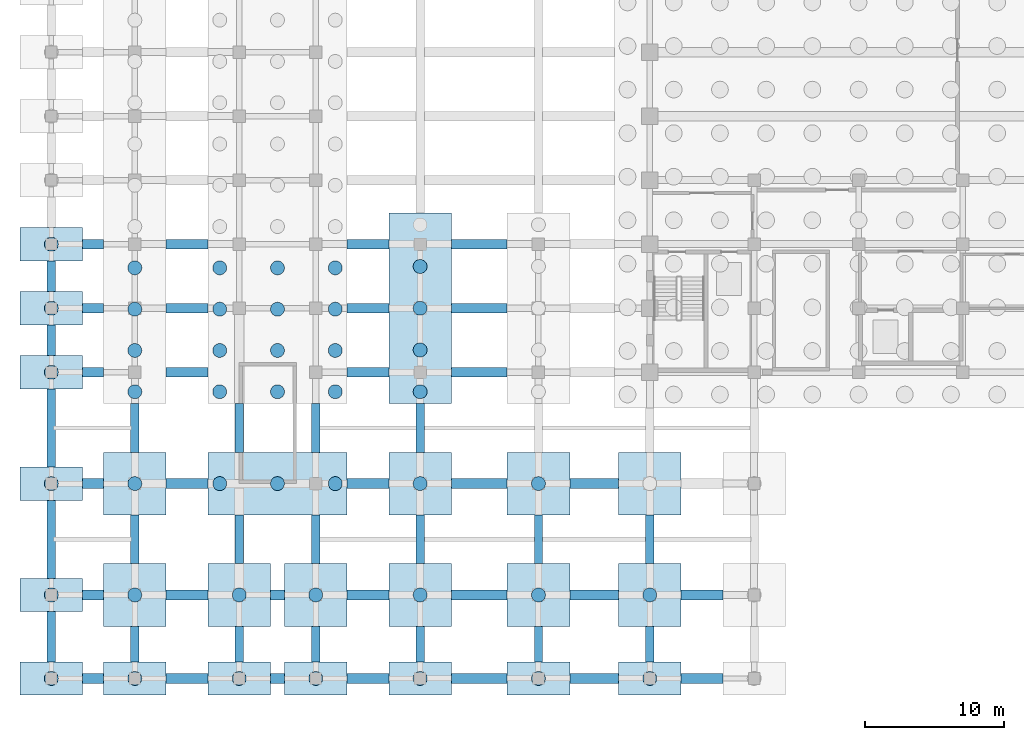
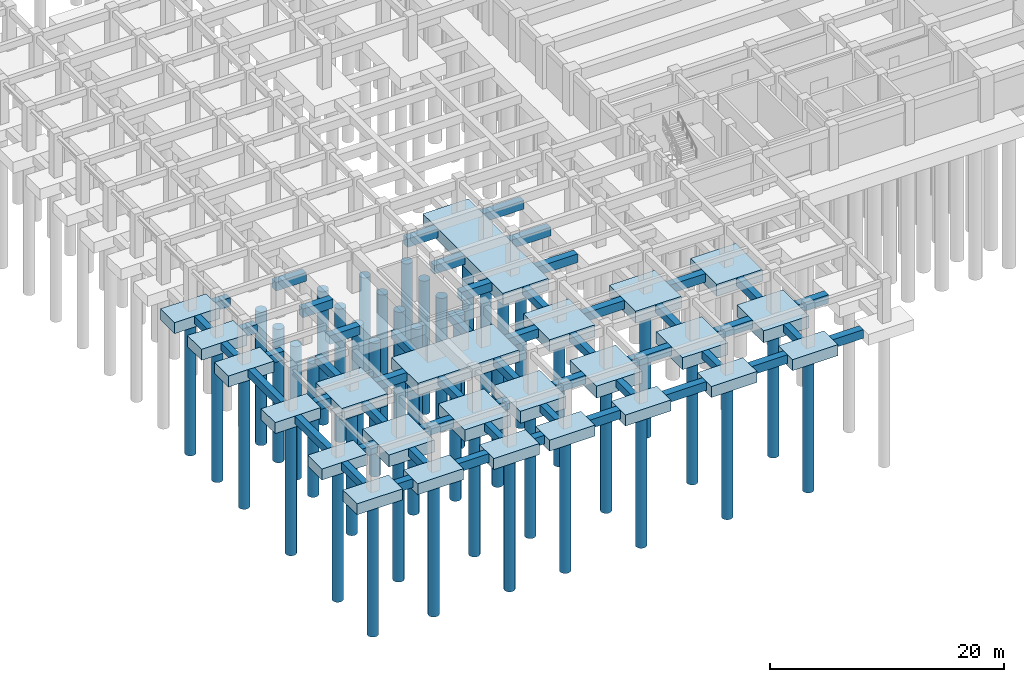
# One storey, part 1 of 32: 76 footings, 44 piles.
"""IFC4 building model written with IfcOpenShell, lengths in metres."""

from ifc_helpers import new_model, si_unit, direction, frame, origin, origin_2d, place, context, subcontext, project, spatial, rectangle, circle, extrude, material, material_profile, profile_set, type_object, element, save


model = new_model("IFC4")

# Units and contexts
model_context = context("Model", 3, precision=1e-05, world=origin(), true_north=direction((0.0, 1.0)))
body_context = subcontext(model_context, "Body", "Model", "MODEL_VIEW")
ifc_project = project(units=[si_unit("LENGTHUNIT", "METRE"), si_unit("AREAUNIT", "SQUARE_METRE"), si_unit("VOLUMEUNIT", "CUBIC_METRE"), si_unit("PLANEANGLEUNIT", "RADIAN"), si_unit("MASSUNIT", "GRAM", prefix="KILO")], contexts=[model_context])

# Site, building, storey
site_placement = place(None, origin())
site = spatial("IfcSite", under=ifc_project, at=site_placement, CompositionType="ELEMENT")
building_placement = place(site_placement, origin())
building = spatial("IfcBuilding", under=site, at=building_placement, Name="Muzn Square Opera House", CompositionType="ELEMENT")
storey_placement = place(building_placement, frame((0.0, 0.0, -4.199951171875)))
storey = spatial("IfcBuildingStorey", under=building, at=storey_placement, Name="B1", CompositionType="ELEMENT", Elevation=-4.199951171875)

# Piles
ifc_material = material(Name="Concrete C40/50", Category="concrete")
ifc_material_profile_1 = material_profile(ifc_material, circle(Radius=0.5, at=origin_2d()), Name="BORED PILE D1000", Category="concrete")
ifc_profile_set_1 = profile_set([ifc_material_profile_1], Name="Concrete C40/50")
pile_type = type_object("IfcPileType", Name="Bored Pile D1000", PredefinedType="BORED", material=ifc_profile_set_1)
for number, where, z_axis, x_axis, name in (
    (1, (0.0, 0.0, -1.469970703125), (0.0, 0.0, -1.0), (1.0, 0.0, 0.0), "Bored Pile BP-B1-BP-D1000-0_0-1"),
    (2, (6.0, 0.0, -1.469970703125), (0.0, 0.0, -1.0), (1.0, 0.0, 0.0), "Bored Pile BP-B1-BP-D1000-60_0-2"),
    (3, (13.5, 0.0, -1.469970703125), (0.0, 0.0, -1.0), (1.0, 0.0, 0.0), "Bored Pile BP-B1-BP-D1000-135_0-3"),
    (4, (19.0, 0.0, -1.469970703125), (0.0, 0.0, -1.0), (1.0, 0.0, 0.0), "Bored Pile BP-B1-BP-D1000-190_0-4"),
    (5, (26.5, 0.0, -1.469970703125), (0.0, 0.0, -1.0), (1.0, 0.0, 0.0), "Bored Pile BP-B1-BP-D1000-265_0-5"),
    (6, (35.0, 0.0, -1.469970703125), (0.0, 0.0, -1.0), (1.0, 0.0, 0.0), "Bored Pile BP-B1-BP-D1000-350_0-6"),
    (7, (43.0, 0.0, -1.469970703125), (0.0, 0.0, -1.0), (1.0, 0.0, 0.0), "Bored Pile BP-B1-BP-D1000-430_0-7"),
):
    element("IfcPile", number, at=place(storey_placement, frame(where, z_axis=z_axis, x_axis=x_axis)), inside=storey, type_object=pile_type, Name=name, PredefinedType="BORED", context=body_context, shape_type="SweptSolid", body=[
        extrude(circle(Radius=0.5, at=origin_2d()), origin(), (0.0, 0.0, 1.0), 14.030029296875),
    ])
for number, where, z_axis, x_axis, name in (
    (8, (6.0, 6.0, -1.570068359375), (0.0, 0.0, -1.0), (1.0, 0.0, 0.0), "Bored Pile BP-B1-BP-D1000-60_60-17"),
    (9, (13.5, 6.0, -1.570068359375), (0.0, 0.0, -1.0), (1.0, 0.0, 0.0), "Bored Pile BP-B1-BP-D1000-135_60-18"),
    (10, (19.0, 6.0, -1.570068359375), (0.0, 0.0, -1.0), (1.0, 0.0, 0.0), "Bored Pile BP-B1-BP-D1000-190_60-19"),
    (11, (26.5, 6.0, -1.570068359375), (0.0, 0.0, -1.0), (1.0, 0.0, 0.0), "Bored Pile BP-B1-BP-D1000-265_60-20"),
    (12, (35.0, 6.0, -1.570068359375), (0.0, 0.0, -1.0), (1.0, 0.0, 0.0), "Bored Pile BP-B1-BP-D1000-350_60-21"),
    (13, (43.0, 6.0, -1.570068359375), (0.0, 0.0, -1.0), (1.0, 0.0, 0.0), "Bored Pile BP-B1-BP-D1000-430_60-22"),
):
    element("IfcPile", number, at=place(storey_placement, frame(where, z_axis=z_axis, x_axis=x_axis)), inside=storey, type_object=pile_type, Name=name, PredefinedType="BORED", context=body_context, shape_type="SweptSolid", body=[
        extrude(circle(Radius=0.5, at=origin_2d()), origin(), (0.0, 0.0, 1.0), 13.929931640625),
    ])
pile_1_placement = place(storey_placement, frame((0.0, 6.0, -1.469970703125), z_axis=(0.0, 0.0, -1.0), x_axis=(1.0, 0.0, 0.0)))
element("IfcPile", 14, at=pile_1_placement, inside=storey, type_object=pile_type, Name="Bored Pile BP-B1-BP-D1000-0_60-31", PredefinedType="BORED", context=body_context, shape_type="SweptSolid", body=[
    extrude(circle(Radius=0.5, at=origin_2d()), origin(), (0.0, 0.0, 1.0), 14.030029296875),
])
for number, where, z_axis, x_axis, name in (
    (15, (6.0, 14.0, -1.570068359375), (0.0, 0.0, -1.0), (1.0, 0.0, 0.0), "Bored Pile BP-B1-BP-D1000-60_140-33"),
    (16, (12.10009765625, 14.0, -1.570068359375), (0.0, 0.0, -1.0), (1.0, 0.0, 0.0), "Bored Pile BP-B1-BP-D1000-121_140-34"),
    (17, (16.25, 14.0, -1.570068359375), (0.0, 0.0, -1.0), (1.0, 0.0, 0.0), "Bored Pile BP-B1-BP-D1000-162_140-35"),
    (18, (20.39990234375, 14.0, -1.570068359375), (0.0, 0.0, -1.0), (1.0, 0.0, 0.0), "Bored Pile BP-B1-BP-D1000-204_140-36"),
    (19, (26.5, 14.0, -1.570068359375), (0.0, 0.0, -1.0), (1.0, 0.0, 0.0), "Bored Pile BP-B1-BP-D1000-265_140-37"),
    (20, (35.0, 14.0, -1.570068359375), (0.0, 0.0, -1.0), (1.0, 0.0, 0.0), "Bored Pile BP-B1-BP-D1000-350_140-38"),
):
    element("IfcPile", number, at=place(storey_placement, frame(where, z_axis=z_axis, x_axis=x_axis)), inside=storey, type_object=pile_type, Name=name, PredefinedType="BORED", context=body_context, shape_type="SweptSolid", body=[
        extrude(circle(Radius=0.5, at=origin_2d()), origin(), (0.0, 0.0, 1.0), 13.929931640625),
    ])
pile_2_placement = place(storey_placement, frame((0.0, 14.0, -1.469970703125), z_axis=(0.0, 0.0, -1.0), x_axis=(1.0, 0.0, 0.0)))
element("IfcPile", 21, at=pile_2_placement, inside=storey, type_object=pile_type, Name="Bored Pile BP-B1-BP-D1000-0_140-49", PredefinedType="BORED", context=body_context, shape_type="SweptSolid", body=[
    extrude(circle(Radius=0.5, at=origin_2d()), origin(), (0.0, 0.0, 1.0), 14.030029296875),
])
for number, where, z_axis, x_axis, name in (
    (22, (6.0, 20.60009765625, -1.570068359375), (0.0, 0.0, -1.0), (1.0, 0.0, 0.0), "Bored Pile BP-B1-BP-D1000-60_206-513"),
    (23, (6.0, 23.566650390625, -1.570068359375), (0.0, 0.0, -1.0), (1.0, 0.0, 0.0), "Bored Pile BP-B1-BP-D1000-60_236-514"),
    (24, (6.0, 26.533203125, -1.570068359375), (0.0, 0.0, -1.0), (1.0, 0.0, 0.0), "Bored Pile BP-B1-BP-D1000-60_265-515"),
    (25, (6.0, 29.5, -1.570068359375), (0.0, 0.0, -1.0), (1.0, 0.0, 0.0), "Bored Pile BP-B1-BP-D1000-60_295-516"),
    (26, (12.10009765625, 20.60009765625, -1.570068359375), (0.0, 0.0, -1.0), (1.0, 0.0, 0.0), "Bored Pile BP-B1-BP-D1000-121_206-532"),
    (27, (12.10009765625, 23.566650390625, -1.570068359375), (0.0, 0.0, -1.0), (1.0, 0.0, 0.0), "Bored Pile BP-B1-BP-D1000-121_236-533"),
    (28, (12.10009765625, 26.533203125, -1.570068359375), (0.0, 0.0, -1.0), (1.0, 0.0, 0.0), "Bored Pile BP-B1-BP-D1000-121_265-534"),
    (29, (12.10009765625, 29.5, -1.570068359375), (0.0, 0.0, -1.0), (1.0, 0.0, 0.0), "Bored Pile BP-B1-BP-D1000-121_295-535"),
    (30, (16.25, 20.60009765625, -1.570068359375), (0.0, 0.0, -1.0), (1.0, 0.0, 0.0), "Bored Pile BP-B1-BP-D1000-162_206-551"),
    (31, (16.25, 23.566650390625, -1.570068359375), (0.0, 0.0, -1.0), (1.0, 0.0, 0.0), "Bored Pile BP-B1-BP-D1000-162_236-552"),
    (32, (16.25, 26.533203125, -1.570068359375), (0.0, 0.0, -1.0), (1.0, 0.0, 0.0), "Bored Pile BP-B1-BP-D1000-162_265-553"),
    (33, (16.25, 29.5, -1.570068359375), (0.0, 0.0, -1.0), (1.0, 0.0, 0.0), "Bored Pile BP-B1-BP-D1000-162_295-554"),
    (34, (20.39990234375, 20.60009765625, -1.570068359375), (0.0, 0.0, -1.0), (1.0, 0.0, 0.0), "Bored Pile BP-B1-BP-D1000-204_206-570"),
    (35, (20.39990234375, 23.566650390625, -1.570068359375), (0.0, 0.0, -1.0), (1.0, 0.0, 0.0), "Bored Pile BP-B1-BP-D1000-204_236-571"),
    (36, (20.39990234375, 26.533203125, -1.570068359375), (0.0, 0.0, -1.0), (1.0, 0.0, 0.0), "Bored Pile BP-B1-BP-D1000-204_265-572"),
    (37, (20.39990234375, 29.5, -1.570068359375), (0.0, 0.0, -1.0), (1.0, 0.0, 0.0), "Bored Pile BP-B1-BP-D1000-204_295-573"),
    (38, (26.5, 20.60009765625, -1.570068359375), (0.0, 0.0, -1.0), (1.0, 0.0, 0.0), "Bored Pile BP-B1-BP-D1000-265_206-589"),
    (39, (26.5, 23.60009765625, -1.570068359375), (0.0, 0.0, -1.0), (1.0, 0.0, 0.0), "Bored Pile BP-B1-BP-D1000-265_236-590"),
    (40, (26.5, 26.60009765625, -1.570068359375), (0.0, 0.0, -1.0), (1.0, 0.0, 0.0), "Bored Pile BP-B1-BP-D1000-265_266-591"),
    (41, (26.5, 29.60009765625, -1.570068359375), (0.0, 0.0, -1.0), (1.0, 0.0, 0.0), "Bored Pile BP-B1-BP-D1000-265_296-592"),
):
    element("IfcPile", number, at=place(storey_placement, frame(where, z_axis=z_axis, x_axis=x_axis)), inside=storey, type_object=pile_type, Name=name, PredefinedType="BORED", context=body_context, shape_type="SweptSolid", body=[
        extrude(circle(Radius=0.5, at=origin_2d()), origin(), (0.0, 0.0, 1.0), 13.929931640625),
    ])
for number, where, z_axis, x_axis, name in (
    (42, (0.0, 22.0, -1.469970703125), (0.0, 0.0, -1.0), (1.0, 0.0, 0.0), "Bored Pile BP-B1-BP-D1000-0_220-688"),
    (43, (0.0, 26.60009765625, -1.469970703125), (0.0, 0.0, -1.0), (1.0, 0.0, 0.0), "Bored Pile BP-B1-BP-D1000-0_266-690"),
    (44, (0.0, 31.199951171875, -1.469970703125), (0.0, 0.0, -1.0), (1.0, 0.0, 0.0), "Bored Pile BP-B1-BP-D1000-0_312-692"),
):
    element("IfcPile", number, at=place(storey_placement, frame(where, z_axis=z_axis, x_axis=x_axis)), inside=storey, type_object=pile_type, Name=name, PredefinedType="BORED", context=body_context, shape_type="SweptSolid", body=[
        extrude(circle(Radius=0.5, at=origin_2d()), origin(), (0.0, 0.0, 1.0), 14.030029296875),
    ])

# Footings
ifc_material_profile_2 = material_profile(ifc_material, rectangle(XDim=0.60009765625, YDim=0.800048828125, at=origin_2d()), Name="RCTB 600x800", Category="concrete")
ifc_profile_set_2 = profile_set([ifc_material_profile_2], Name="Concrete C40/50")
footing_type_1 = type_object("IfcFootingType", Name="Foundation Tie Beam 600x800", PredefinedType="FOOTING_BEAM", material=ifc_profile_set_2)
footing_1_placement = place(storey_placement, frame((0.0, 1.199951171875, -0.820068359375), z_axis=(0.0, 1.0, 0.0), x_axis=(-1.0, 0.0, 0.0)))
element("IfcFooting", 45, at=footing_1_placement, inside=storey, type_object=footing_type_1, Name="Foundation Tie Beam FTB-Y221", PredefinedType="FOOTING_BEAM", context=body_context, shape_type="SweptSolid", body=[
    extrude(rectangle(XDim=0.60009765625, YDim=0.800048828125, at=origin_2d()), origin(), (0.0, 0.0, 1.0), 3.60009765625),
])
for number, where, z_axis, x_axis, name in (
    (46, (0.0, 7.199951171875, -0.820068359375), (0.0, 1.0, 0.0), (-1.0, 0.0, 0.0), "Foundation Tie Beam FTB-Y222"),
    (47, (0.0, 15.199951171875, -0.820068359375), (0.0, 1.0, 0.0), (-1.0, 0.0, 0.0), "Foundation Tie Beam FTB-Y223"),
):
    element("IfcFooting", number, at=place(storey_placement, frame(where, z_axis=z_axis, x_axis=x_axis)), inside=storey, type_object=footing_type_1, Name=name, PredefinedType="FOOTING_BEAM", context=body_context, shape_type="SweptSolid", body=[
        extrude(rectangle(XDim=0.60009765625, YDim=0.800048828125, at=origin_2d()), origin(), (0.0, 0.0, 1.0), 5.60009765625),
    ])
for number, where, z_axis, x_axis, name in (
    (48, (0.0, 23.199951171875, -0.820068359375), (0.0, 1.0, 0.0), (-1.0, 0.0, 0.0), "Foundation Tie Beam FTB-Y224"),
    (49, (0.0, 27.800048828125, -0.820068359375), (0.0, 1.0, 0.0), (-1.0, 0.0, 0.0), "Foundation Tie Beam FTB-Y225"),
):
    element("IfcFooting", number, at=place(storey_placement, frame(where, z_axis=z_axis, x_axis=x_axis)), inside=storey, type_object=footing_type_1, Name=name, PredefinedType="FOOTING_BEAM", context=body_context, shape_type="SweptSolid", body=[
        extrude(rectangle(XDim=0.60009765625, YDim=0.800048828125, at=origin_2d()), origin(), (0.0, 0.0, 1.0), 2.199951171875),
    ])
footing_2_placement = place(storey_placement, frame((6.0, 1.199951171875, -0.820068359375), z_axis=(0.0, 1.0, 0.0), x_axis=(-1.0, 0.0, 0.0)))
element("IfcFooting", 50, at=footing_2_placement, inside=storey, type_object=footing_type_1, Name="Foundation Tie Beam FTB-Y238", PredefinedType="FOOTING_BEAM", context=body_context, shape_type="SweptSolid", body=[
    extrude(rectangle(XDim=0.60009765625, YDim=0.800048828125, at=origin_2d()), origin(), (0.0, 0.0, 1.0), 2.550048828125),
])
for number, where, z_axis, x_axis, name in (
    (51, (6.0, 8.25, -0.820068359375), (0.0, 1.0, 0.0), (-1.0, 0.0, 0.0), "Foundation Tie Beam FTB-Y239"),
    (52, (6.0, 16.25, -0.820068359375), (0.0, 1.0, 0.0), (-1.0, 0.0, 0.0), "Foundation Tie Beam FTB-Y240"),
):
    element("IfcFooting", number, at=place(storey_placement, frame(where, z_axis=z_axis, x_axis=x_axis)), inside=storey, type_object=footing_type_1, Name=name, PredefinedType="FOOTING_BEAM", context=body_context, shape_type="SweptSolid", body=[
        extrude(rectangle(XDim=0.60009765625, YDim=0.800048828125, at=origin_2d()), origin(), (0.0, 0.0, 1.0), 3.5),
    ])
footing_3_placement = place(storey_placement, frame((13.5, 1.199951171875, -0.820068359375), z_axis=(0.0, 1.0, 0.0), x_axis=(-1.0, 0.0, 0.0)))
element("IfcFooting", 53, at=footing_3_placement, inside=storey, type_object=footing_type_1, Name="Foundation Tie Beam FTB-Y244", PredefinedType="FOOTING_BEAM", context=body_context, shape_type="SweptSolid", body=[
    extrude(rectangle(XDim=0.60009765625, YDim=0.800048828125, at=origin_2d()), origin(), (0.0, 0.0, 1.0), 2.550048828125),
])
for number, where, z_axis, x_axis, name in (
    (54, (13.5, 8.25, -0.820068359375), (0.0, 1.0, 0.0), (-1.0, 0.0, 0.0), "Foundation Tie Beam FTB-Y245"),
    (55, (13.5, 16.25, -0.820068359375), (0.0, 1.0, 0.0), (-1.0, 0.0, 0.0), "Foundation Tie Beam FTB-Y246"),
):
    element("IfcFooting", number, at=place(storey_placement, frame(where, z_axis=z_axis, x_axis=x_axis)), inside=storey, type_object=footing_type_1, Name=name, PredefinedType="FOOTING_BEAM", context=body_context, shape_type="SweptSolid", body=[
        extrude(rectangle(XDim=0.60009765625, YDim=0.800048828125, at=origin_2d()), origin(), (0.0, 0.0, 1.0), 3.5),
    ])
footing_4_placement = place(storey_placement, frame((19.0, 1.199951171875, -0.820068359375), z_axis=(0.0, 1.0, 0.0), x_axis=(-1.0, 0.0, 0.0)))
element("IfcFooting", 56, at=footing_4_placement, inside=storey, type_object=footing_type_1, Name="Foundation Tie Beam FTB-Y247", PredefinedType="FOOTING_BEAM", context=body_context, shape_type="SweptSolid", body=[
    extrude(rectangle(XDim=0.60009765625, YDim=0.800048828125, at=origin_2d()), origin(), (0.0, 0.0, 1.0), 2.550048828125),
])
for number, where, z_axis, x_axis, name in (
    (57, (19.0, 8.25, -0.820068359375), (0.0, 1.0, 0.0), (-1.0, 0.0, 0.0), "Foundation Tie Beam FTB-Y248"),
    (58, (19.0, 16.25, -0.820068359375), (0.0, 1.0, 0.0), (-1.0, 0.0, 0.0), "Foundation Tie Beam FTB-Y249"),
):
    element("IfcFooting", number, at=place(storey_placement, frame(where, z_axis=z_axis, x_axis=x_axis)), inside=storey, type_object=footing_type_1, Name=name, PredefinedType="FOOTING_BEAM", context=body_context, shape_type="SweptSolid", body=[
        extrude(rectangle(XDim=0.60009765625, YDim=0.800048828125, at=origin_2d()), origin(), (0.0, 0.0, 1.0), 3.5),
    ])
footing_5_placement = place(storey_placement, frame((26.5, 1.199951171875, -0.820068359375), z_axis=(0.0, 1.0, 0.0), x_axis=(-1.0, 0.0, 0.0)))
element("IfcFooting", 59, at=footing_5_placement, inside=storey, type_object=footing_type_1, Name="Foundation Tie Beam FTB-Y253", PredefinedType="FOOTING_BEAM", context=body_context, shape_type="SweptSolid", body=[
    extrude(rectangle(XDim=0.60009765625, YDim=0.800048828125, at=origin_2d()), origin(), (0.0, 0.0, 1.0), 2.550048828125),
])
for number, where, z_axis, x_axis, name in (
    (60, (26.5, 8.25, -0.820068359375), (0.0, 1.0, 0.0), (-1.0, 0.0, 0.0), "Foundation Tie Beam FTB-Y254"),
    (61, (26.5, 16.25, -0.820068359375), (0.0, 1.0, 0.0), (-1.0, 0.0, 0.0), "Foundation Tie Beam FTB-Y255"),
):
    element("IfcFooting", number, at=place(storey_placement, frame(where, z_axis=z_axis, x_axis=x_axis)), inside=storey, type_object=footing_type_1, Name=name, PredefinedType="FOOTING_BEAM", context=body_context, shape_type="SweptSolid", body=[
        extrude(rectangle(XDim=0.60009765625, YDim=0.800048828125, at=origin_2d()), origin(), (0.0, 0.0, 1.0), 3.5),
    ])
footing_6_placement = place(storey_placement, frame((35.0, 1.199951171875, -0.820068359375), z_axis=(0.0, 1.0, 0.0), x_axis=(-1.0, 0.0, 0.0)))
element("IfcFooting", 62, at=footing_6_placement, inside=storey, type_object=footing_type_1, Name="Foundation Tie Beam FTB-Y260", PredefinedType="FOOTING_BEAM", context=body_context, shape_type="SweptSolid", body=[
    extrude(rectangle(XDim=0.60009765625, YDim=0.800048828125, at=origin_2d()), origin(), (0.0, 0.0, 1.0), 2.550048828125),
])
footing_7_placement = place(storey_placement, frame((35.0, 8.25, -0.820068359375), z_axis=(0.0, 1.0, 0.0), x_axis=(-1.0, 0.0, 0.0)))
element("IfcFooting", 63, at=footing_7_placement, inside=storey, type_object=footing_type_1, Name="Foundation Tie Beam FTB-Y261", PredefinedType="FOOTING_BEAM", context=body_context, shape_type="SweptSolid", body=[
    extrude(rectangle(XDim=0.60009765625, YDim=0.800048828125, at=origin_2d()), origin(), (0.0, 0.0, 1.0), 3.5),
])
footing_8_placement = place(storey_placement, frame((43.0, 1.199951171875, -0.820068359375), z_axis=(0.0, 1.0, 0.0), x_axis=(-1.0, 0.0, 0.0)))
element("IfcFooting", 64, at=footing_8_placement, inside=storey, type_object=footing_type_1, Name="Foundation Tie Beam FTB-Y267", PredefinedType="FOOTING_BEAM", context=body_context, shape_type="SweptSolid", body=[
    extrude(rectangle(XDim=0.60009765625, YDim=0.800048828125, at=origin_2d()), origin(), (0.0, 0.0, 1.0), 2.550048828125),
])
footing_9_placement = place(storey_placement, frame((43.0, 8.25, -0.820068359375), z_axis=(0.0, 1.0, 0.0), x_axis=(-1.0, 0.0, 0.0)))
element("IfcFooting", 65, at=footing_9_placement, inside=storey, type_object=footing_type_1, Name="Foundation Tie Beam FTB-Y268", PredefinedType="FOOTING_BEAM", context=body_context, shape_type="SweptSolid", body=[
    extrude(rectangle(XDim=0.60009765625, YDim=0.800048828125, at=origin_2d()), origin(), (0.0, 0.0, 1.0), 3.5),
])
ifc_material_profile_3 = material_profile(ifc_material, rectangle(XDim=0.699951171875, YDim=0.89990234375, at=origin_2d()), Name="RCTB 700x900", Category="concrete")
ifc_profile_set_3 = profile_set([ifc_material_profile_3], Name="Concrete C40/50")
footing_type_2 = type_object("IfcFootingType", Name="Foundation Tie Beam 700x900", PredefinedType="FOOTING_BEAM", material=ifc_profile_set_3)
footing_10_placement = place(storey_placement, frame((2.25, 0.0, -0.8701171875), z_axis=(1.0, 0.0, 0.0), x_axis=(0.0, 1.0, 0.0)))
element("IfcFooting", 66, at=footing_10_placement, inside=storey, type_object=footing_type_2, Name="Foundation Tie Beam FTB-X001", PredefinedType="FOOTING_BEAM", context=body_context, shape_type="SweptSolid", body=[
    extrude(rectangle(XDim=0.699951171875, YDim=0.89990234375, at=origin_2d()), origin(), (0.0, 0.0, 1.0), 1.5),
])
footing_11_placement = place(storey_placement, frame((8.25, 0.0, -0.8701171875), z_axis=(1.0, 0.0, 0.0), x_axis=(0.0, 1.0, 0.0)))
element("IfcFooting", 67, at=footing_11_placement, inside=storey, type_object=footing_type_2, Name="Foundation Tie Beam FTB-X002", PredefinedType="FOOTING_BEAM", context=body_context, shape_type="SweptSolid", body=[
    extrude(rectangle(XDim=0.699951171875, YDim=0.89990234375, at=origin_2d()), origin(), (0.0, 0.0, 1.0), 3.0),
])
footing_12_placement = place(storey_placement, frame((15.75, 0.0, -0.8701171875), z_axis=(1.0, 0.0, 0.0), x_axis=(0.0, 1.0, 0.0)))
element("IfcFooting", 68, at=footing_12_placement, inside=storey, type_object=footing_type_2, Name="Foundation Tie Beam FTB-X003", PredefinedType="FOOTING_BEAM", context=body_context, shape_type="SweptSolid", body=[
    extrude(rectangle(XDim=0.699951171875, YDim=0.89990234375, at=origin_2d()), origin(), (0.0, 0.0, 1.0), 1.0),
])
footing_13_placement = place(storey_placement, frame((21.25, 0.0, -0.8701171875), z_axis=(1.0, 0.0, 0.0), x_axis=(0.0, 1.0, 0.0)))
element("IfcFooting", 69, at=footing_13_placement, inside=storey, type_object=footing_type_2, Name="Foundation Tie Beam FTB-X004", PredefinedType="FOOTING_BEAM", context=body_context, shape_type="SweptSolid", body=[
    extrude(rectangle(XDim=0.699951171875, YDim=0.89990234375, at=origin_2d()), origin(), (0.0, 0.0, 1.0), 3.0),
])
footing_14_placement = place(storey_placement, frame((28.75, 0.0, -0.8701171875), z_axis=(1.0, 0.0, 0.0), x_axis=(0.0, 1.0, 0.0)))
element("IfcFooting", 70, at=footing_14_placement, inside=storey, type_object=footing_type_2, Name="Foundation Tie Beam FTB-X005", PredefinedType="FOOTING_BEAM", context=body_context, shape_type="SweptSolid", body=[
    extrude(rectangle(XDim=0.699951171875, YDim=0.89990234375, at=origin_2d()), origin(), (0.0, 0.0, 1.0), 4.0),
])
footing_15_placement = place(storey_placement, frame((37.25, 0.0, -0.8701171875), z_axis=(1.0, 0.0, 0.0), x_axis=(0.0, 1.0, 0.0)))
element("IfcFooting", 71, at=footing_15_placement, inside=storey, type_object=footing_type_2, Name="Foundation Tie Beam FTB-X006", PredefinedType="FOOTING_BEAM", context=body_context, shape_type="SweptSolid", body=[
    extrude(rectangle(XDim=0.699951171875, YDim=0.89990234375, at=origin_2d()), origin(), (0.0, 0.0, 1.0), 3.5),
])
footing_16_placement = place(storey_placement, frame((45.25, 0.0, -0.8701171875), z_axis=(1.0, 0.0, 0.0), x_axis=(0.0, 1.0, 0.0)))
element("IfcFooting", 72, at=footing_16_placement, inside=storey, type_object=footing_type_2, Name="Foundation Tie Beam FTB-X007", PredefinedType="FOOTING_BEAM", context=body_context, shape_type="SweptSolid", body=[
    extrude(rectangle(XDim=0.699951171875, YDim=0.89990234375, at=origin_2d()), origin(), (0.0, 0.0, 1.0), 3.0),
])
footing_17_placement = place(storey_placement, frame((2.25, 6.0, -0.8701171875), z_axis=(1.0, 0.0, 0.0), x_axis=(0.0, 1.0, 0.0)))
element("IfcFooting", 73, at=footing_17_placement, inside=storey, type_object=footing_type_2, Name="Foundation Tie Beam FTB-X015", PredefinedType="FOOTING_BEAM", context=body_context, shape_type="SweptSolid", body=[
    extrude(rectangle(XDim=0.699951171875, YDim=0.89990234375, at=origin_2d()), origin(), (0.0, 0.0, 1.0), 1.5),
])
footing_18_placement = place(storey_placement, frame((8.25, 6.0, -0.8701171875), z_axis=(1.0, 0.0, 0.0), x_axis=(0.0, 1.0, 0.0)))
element("IfcFooting", 74, at=footing_18_placement, inside=storey, type_object=footing_type_2, Name="Foundation Tie Beam FTB-X016", PredefinedType="FOOTING_BEAM", context=body_context, shape_type="SweptSolid", body=[
    extrude(rectangle(XDim=0.699951171875, YDim=0.89990234375, at=origin_2d()), origin(), (0.0, 0.0, 1.0), 3.0),
])
footing_19_placement = place(storey_placement, frame((15.75, 6.0, -0.8701171875), z_axis=(1.0, 0.0, 0.0), x_axis=(0.0, 1.0, 0.0)))
element("IfcFooting", 75, at=footing_19_placement, inside=storey, type_object=footing_type_2, Name="Foundation Tie Beam FTB-X017", PredefinedType="FOOTING_BEAM", context=body_context, shape_type="SweptSolid", body=[
    extrude(rectangle(XDim=0.699951171875, YDim=0.89990234375, at=origin_2d()), origin(), (0.0, 0.0, 1.0), 1.0),
])
footing_20_placement = place(storey_placement, frame((21.25, 6.0, -0.8701171875), z_axis=(1.0, 0.0, 0.0), x_axis=(0.0, 1.0, 0.0)))
element("IfcFooting", 76, at=footing_20_placement, inside=storey, type_object=footing_type_2, Name="Foundation Tie Beam FTB-X018", PredefinedType="FOOTING_BEAM", context=body_context, shape_type="SweptSolid", body=[
    extrude(rectangle(XDim=0.699951171875, YDim=0.89990234375, at=origin_2d()), origin(), (0.0, 0.0, 1.0), 3.0),
])
footing_21_placement = place(storey_placement, frame((28.75, 6.0, -0.8701171875), z_axis=(1.0, 0.0, 0.0), x_axis=(0.0, 1.0, 0.0)))
element("IfcFooting", 77, at=footing_21_placement, inside=storey, type_object=footing_type_2, Name="Foundation Tie Beam FTB-X019", PredefinedType="FOOTING_BEAM", context=body_context, shape_type="SweptSolid", body=[
    extrude(rectangle(XDim=0.699951171875, YDim=0.89990234375, at=origin_2d()), origin(), (0.0, 0.0, 1.0), 4.0),
])
footing_22_placement = place(storey_placement, frame((37.25, 6.0, -0.8701171875), z_axis=(1.0, 0.0, 0.0), x_axis=(0.0, 1.0, 0.0)))
element("IfcFooting", 78, at=footing_22_placement, inside=storey, type_object=footing_type_2, Name="Foundation Tie Beam FTB-X020", PredefinedType="FOOTING_BEAM", context=body_context, shape_type="SweptSolid", body=[
    extrude(rectangle(XDim=0.699951171875, YDim=0.89990234375, at=origin_2d()), origin(), (0.0, 0.0, 1.0), 3.5),
])
footing_23_placement = place(storey_placement, frame((45.25, 6.0, -0.8701171875), z_axis=(1.0, 0.0, 0.0), x_axis=(0.0, 1.0, 0.0)))
element("IfcFooting", 79, at=footing_23_placement, inside=storey, type_object=footing_type_2, Name="Foundation Tie Beam FTB-X021", PredefinedType="FOOTING_BEAM", context=body_context, shape_type="SweptSolid", body=[
    extrude(rectangle(XDim=0.699951171875, YDim=0.89990234375, at=origin_2d()), origin(), (0.0, 0.0, 1.0), 3.0),
])
footing_24_placement = place(storey_placement, frame((2.25, 14.0, -0.8701171875), z_axis=(1.0, 0.0, 0.0), x_axis=(0.0, 1.0, 0.0)))
element("IfcFooting", 80, at=footing_24_placement, inside=storey, type_object=footing_type_2, Name="Foundation Tie Beam FTB-X029", PredefinedType="FOOTING_BEAM", context=body_context, shape_type="SweptSolid", body=[
    extrude(rectangle(XDim=0.699951171875, YDim=0.89990234375, at=origin_2d()), origin(), (0.0, 0.0, 1.0), 1.5),
])
for number, where, z_axis, x_axis, name in (
    (81, (8.25, 14.0, -0.8701171875), (1.0, 0.0, 0.0), (0.0, 1.0, 0.0), "Foundation Tie Beam FTB-X030"),
    (82, (21.25, 14.0, -0.8701171875), (1.0, 0.0, 0.0), (0.0, 1.0, 0.0), "Foundation Tie Beam FTB-X031"),
):
    element("IfcFooting", number, at=place(storey_placement, frame(where, z_axis=z_axis, x_axis=x_axis)), inside=storey, type_object=footing_type_2, Name=name, PredefinedType="FOOTING_BEAM", context=body_context, shape_type="SweptSolid", body=[
        extrude(rectangle(XDim=0.699951171875, YDim=0.89990234375, at=origin_2d()), origin(), (0.0, 0.0, 1.0), 3.0),
    ])
footing_25_placement = place(storey_placement, frame((28.75, 14.0, -0.8701171875), z_axis=(1.0, 0.0, 0.0), x_axis=(0.0, 1.0, 0.0)))
element("IfcFooting", 83, at=footing_25_placement, inside=storey, type_object=footing_type_2, Name="Foundation Tie Beam FTB-X032", PredefinedType="FOOTING_BEAM", context=body_context, shape_type="SweptSolid", body=[
    extrude(rectangle(XDim=0.699951171875, YDim=0.89990234375, at=origin_2d()), origin(), (0.0, 0.0, 1.0), 4.0),
])
footing_26_placement = place(storey_placement, frame((37.25, 14.0, -0.8701171875), z_axis=(1.0, 0.0, 0.0), x_axis=(0.0, 1.0, 0.0)))
element("IfcFooting", 84, at=footing_26_placement, inside=storey, type_object=footing_type_2, Name="Foundation Tie Beam FTB-X033", PredefinedType="FOOTING_BEAM", context=body_context, shape_type="SweptSolid", body=[
    extrude(rectangle(XDim=0.699951171875, YDim=0.89990234375, at=origin_2d()), origin(), (0.0, 0.0, 1.0), 3.5),
])
footing_27_placement = place(storey_placement, frame((2.25, 22.0, -0.8701171875), z_axis=(1.0, 0.0, 0.0), x_axis=(0.0, 1.0, 0.0)))
element("IfcFooting", 85, at=footing_27_placement, inside=storey, type_object=footing_type_2, Name="Foundation Tie Beam FTB-X041", PredefinedType="FOOTING_BEAM", context=body_context, shape_type="SweptSolid", body=[
    extrude(rectangle(XDim=0.699951171875, YDim=0.89990234375, at=origin_2d()), origin(), (0.0, 0.0, 1.0), 1.5),
])
for number, where, z_axis, x_axis, name in (
    (86, (8.25, 22.0, -0.8701171875), (1.0, 0.0, 0.0), (0.0, 1.0, 0.0), "Foundation Tie Beam FTB-X042"),
    (87, (21.25, 22.0, -0.8701171875), (1.0, 0.0, 0.0), (0.0, 1.0, 0.0), "Foundation Tie Beam FTB-X043"),
):
    element("IfcFooting", number, at=place(storey_placement, frame(where, z_axis=z_axis, x_axis=x_axis)), inside=storey, type_object=footing_type_2, Name=name, PredefinedType="FOOTING_BEAM", context=body_context, shape_type="SweptSolid", body=[
        extrude(rectangle(XDim=0.699951171875, YDim=0.89990234375, at=origin_2d()), origin(), (0.0, 0.0, 1.0), 3.0),
    ])
footing_28_placement = place(storey_placement, frame((28.75, 22.0, -0.8701171875), z_axis=(1.0, 0.0, 0.0), x_axis=(0.0, 1.0, 0.0)))
element("IfcFooting", 88, at=footing_28_placement, inside=storey, type_object=footing_type_2, Name="Foundation Tie Beam FTB-X044", PredefinedType="FOOTING_BEAM", context=body_context, shape_type="SweptSolid", body=[
    extrude(rectangle(XDim=0.699951171875, YDim=0.89990234375, at=origin_2d()), origin(), (0.0, 0.0, 1.0), 4.0),
])
footing_29_placement = place(storey_placement, frame((2.25, 26.60009765625, -0.8701171875), z_axis=(1.0, 0.0, 0.0), x_axis=(0.0, 1.0, 0.0)))
element("IfcFooting", 89, at=footing_29_placement, inside=storey, type_object=footing_type_2, Name="Foundation Tie Beam FTB-X055", PredefinedType="FOOTING_BEAM", context=body_context, shape_type="SweptSolid", body=[
    extrude(rectangle(XDim=0.699951171875, YDim=0.89990234375, at=origin_2d()), origin(), (0.0, 0.0, 1.0), 1.5),
])
for number, where, z_axis, x_axis, name in (
    (90, (8.25, 26.60009765625, -0.8701171875), (1.0, 0.0, 0.0), (0.0, 1.0, 0.0), "Foundation Tie Beam FTB-X056"),
    (91, (21.25, 26.60009765625, -0.8701171875), (1.0, 0.0, 0.0), (0.0, 1.0, 0.0), "Foundation Tie Beam FTB-X057"),
):
    element("IfcFooting", number, at=place(storey_placement, frame(where, z_axis=z_axis, x_axis=x_axis)), inside=storey, type_object=footing_type_2, Name=name, PredefinedType="FOOTING_BEAM", context=body_context, shape_type="SweptSolid", body=[
        extrude(rectangle(XDim=0.699951171875, YDim=0.89990234375, at=origin_2d()), origin(), (0.0, 0.0, 1.0), 3.0),
    ])
footing_30_placement = place(storey_placement, frame((28.75, 26.60009765625, -0.8701171875), z_axis=(1.0, 0.0, 0.0), x_axis=(0.0, 1.0, 0.0)))
element("IfcFooting", 92, at=footing_30_placement, inside=storey, type_object=footing_type_2, Name="Foundation Tie Beam FTB-X058", PredefinedType="FOOTING_BEAM", context=body_context, shape_type="SweptSolid", body=[
    extrude(rectangle(XDim=0.699951171875, YDim=0.89990234375, at=origin_2d()), origin(), (0.0, 0.0, 1.0), 4.0),
])
footing_31_placement = place(storey_placement, frame((2.25, 31.199951171875, -0.8701171875), z_axis=(1.0, 0.0, 0.0), x_axis=(0.0, 1.0, 0.0)))
element("IfcFooting", 93, at=footing_31_placement, inside=storey, type_object=footing_type_2, Name="Foundation Tie Beam FTB-X066", PredefinedType="FOOTING_BEAM", context=body_context, shape_type="SweptSolid", body=[
    extrude(rectangle(XDim=0.699951171875, YDim=0.89990234375, at=origin_2d()), origin(), (0.0, 0.0, 1.0), 1.5),
])
for number, where, z_axis, x_axis, name in (
    (94, (8.25, 31.199951171875, -0.8701171875), (1.0, 0.0, 0.0), (0.0, 1.0, 0.0), "Foundation Tie Beam FTB-X067"),
    (95, (21.25, 31.199951171875, -0.8701171875), (1.0, 0.0, 0.0), (0.0, 1.0, 0.0), "Foundation Tie Beam FTB-X068"),
):
    element("IfcFooting", number, at=place(storey_placement, frame(where, z_axis=z_axis, x_axis=x_axis)), inside=storey, type_object=footing_type_2, Name=name, PredefinedType="FOOTING_BEAM", context=body_context, shape_type="SweptSolid", body=[
        extrude(rectangle(XDim=0.699951171875, YDim=0.89990234375, at=origin_2d()), origin(), (0.0, 0.0, 1.0), 3.0),
    ])
footing_32_placement = place(storey_placement, frame((28.75, 31.199951171875, -0.8701171875), z_axis=(1.0, 0.0, 0.0), x_axis=(0.0, 1.0, 0.0)))
element("IfcFooting", 96, at=footing_32_placement, inside=storey, type_object=footing_type_2, Name="Foundation Tie Beam FTB-X069", PredefinedType="FOOTING_BEAM", context=body_context, shape_type="SweptSolid", body=[
    extrude(rectangle(XDim=0.699951171875, YDim=0.89990234375, at=origin_2d()), origin(), (0.0, 0.0, 1.0), 4.0),
])
footing_type_3 = type_object("IfcFootingType", Name="Pile Cap 10000x4500x1250", PredefinedType="PILE_CAP", material=ifc_material)
footing_33_placement = place(storey_placement, frame((16.25, 14.0, -1.670166015625), z_axis=(0.0, 0.0, 1.0), x_axis=(1.0, 0.0, 0.0)))
element("IfcFooting", 97, at=footing_33_placement, inside=storey, type_object=footing_type_3, Name="Pile Cap PC-B1-034", PredefinedType="PILE_CAP", context=body_context, shape_type="SweptSolid", body=[
    extrude(rectangle(XDim=10.0, YDim=4.5, at=origin_2d()), origin(), (0.0, 0.0, 1.0), 1.25),
])
footing_type_4 = type_object("IfcFootingType", Name="Pile Cap 13700x4500x1250", PredefinedType="PILE_CAP", material=ifc_material)
footing_34_placement = place(storey_placement, frame((26.5, 26.60009765625, -1.670166015625), z_axis=(0.0, 0.0, 1.0), x_axis=(1.0, 0.0, 0.0)))
element("IfcFooting", 98, at=footing_34_placement, inside=storey, type_object=footing_type_4, Name="Pile Cap PC-B1-051", PredefinedType="PILE_CAP", context=body_context, shape_type="SweptSolid", body=[
    extrude(rectangle(XDim=4.5, YDim=13.699951171875, at=origin_2d()), origin(), (0.0, 0.0, 1.0), 1.25),
])
footing_type_5 = type_object("IfcFootingType", Name="Pile Cap 4500x2400x1150", PredefinedType="PILE_CAP", material=ifc_material)
for number, where, z_axis, x_axis, name in (
    (99, (0.0, 0.0, -1.570068359375), (0.0, 0.0, 1.0), (1.0, 0.0, 0.0), "Pile Cap PC-B1-001"),
    (100, (6.0, 0.0, -1.570068359375), (0.0, 0.0, 1.0), (1.0, 0.0, 0.0), "Pile Cap PC-B1-002"),
    (101, (13.5, 0.0, -1.570068359375), (0.0, 0.0, 1.0), (1.0, 0.0, 0.0), "Pile Cap PC-B1-003"),
    (102, (19.0, 0.0, -1.570068359375), (0.0, 0.0, 1.0), (1.0, 0.0, 0.0), "Pile Cap PC-B1-004"),
    (103, (26.5, 0.0, -1.570068359375), (0.0, 0.0, 1.0), (1.0, 0.0, 0.0), "Pile Cap PC-B1-005"),
    (104, (35.0, 0.0, -1.570068359375), (0.0, 0.0, 1.0), (1.0, 0.0, 0.0), "Pile Cap PC-B1-006"),
    (105, (43.0, 0.0, -1.570068359375), (0.0, 0.0, 1.0), (1.0, 0.0, 0.0), "Pile Cap PC-B1-007"),
    (106, (0.0, 6.0, -1.570068359375), (0.0, 0.0, 1.0), (1.0, 0.0, 0.0), "Pile Cap PC-B1-031"),
    (107, (0.0, 14.0, -1.570068359375), (0.0, 0.0, 1.0), (1.0, 0.0, 0.0), "Pile Cap PC-B1-045"),
    (108, (0.0, 22.0, -1.570068359375), (0.0, 0.0, 1.0), (1.0, 0.0, 0.0), "Pile Cap PC-B1-060"),
    (109, (0.0, 26.60009765625, -1.570068359375), (0.0, 0.0, 1.0), (1.0, 0.0, 0.0), "Pile Cap PC-B1-062"),
    (110, (0.0, 31.199951171875, -1.570068359375), (0.0, 0.0, 1.0), (1.0, 0.0, 0.0), "Pile Cap PC-B1-064"),
):
    element("IfcFooting", number, at=place(storey_placement, frame(where, z_axis=z_axis, x_axis=x_axis)), inside=storey, type_object=footing_type_5, Name=name, PredefinedType="PILE_CAP", context=body_context, shape_type="SweptSolid", body=[
        extrude(rectangle(XDim=4.5, YDim=2.39990234375, at=origin_2d()), origin(), (0.0, 0.0, 1.0), 1.14990234375),
    ])
footing_type_6 = type_object("IfcFootingType", Name="Pile Cap 4500x4500x1250", PredefinedType="PILE_CAP", material=ifc_material)
for number, where, z_axis, x_axis, name in (
    (111, (6.0, 6.0, -1.670166015625), (0.0, 0.0, 1.0), (1.0, 0.0, 0.0), "Pile Cap PC-B1-017"),
    (112, (13.5, 6.0, -1.670166015625), (0.0, 0.0, 1.0), (1.0, 0.0, 0.0), "Pile Cap PC-B1-018"),
    (113, (19.0, 6.0, -1.670166015625), (0.0, 0.0, 1.0), (1.0, 0.0, 0.0), "Pile Cap PC-B1-019"),
    (114, (26.5, 6.0, -1.670166015625), (0.0, 0.0, 1.0), (1.0, 0.0, 0.0), "Pile Cap PC-B1-020"),
    (115, (35.0, 6.0, -1.670166015625), (0.0, 0.0, 1.0), (1.0, 0.0, 0.0), "Pile Cap PC-B1-021"),
    (116, (43.0, 6.0, -1.670166015625), (0.0, 0.0, 1.0), (1.0, 0.0, 0.0), "Pile Cap PC-B1-022"),
    (117, (6.0, 14.0, -1.670166015625), (0.0, 0.0, 1.0), (1.0, 0.0, 0.0), "Pile Cap PC-B1-033"),
    (118, (26.5, 14.0, -1.670166015625), (0.0, 0.0, 1.0), (1.0, 0.0, 0.0), "Pile Cap PC-B1-035"),
    (119, (35.0, 14.0, -1.670166015625), (0.0, 0.0, 1.0), (1.0, 0.0, 0.0), "Pile Cap PC-B1-036"),
    (120, (43.0, 14.0, -1.670166015625), (0.0, 0.0, 1.0), (1.0, 0.0, 0.0), "Pile Cap PC-B1-037"),
):
    element("IfcFooting", number, at=place(storey_placement, frame(where, z_axis=z_axis, x_axis=x_axis)), inside=storey, type_object=footing_type_6, Name=name, PredefinedType="PILE_CAP", context=body_context, shape_type="SweptSolid", body=[
        extrude(rectangle(XDim=4.5, YDim=4.5, at=origin_2d()), origin(), (0.0, 0.0, 1.0), 1.25),
    ])

save(model, "model.ifc")
